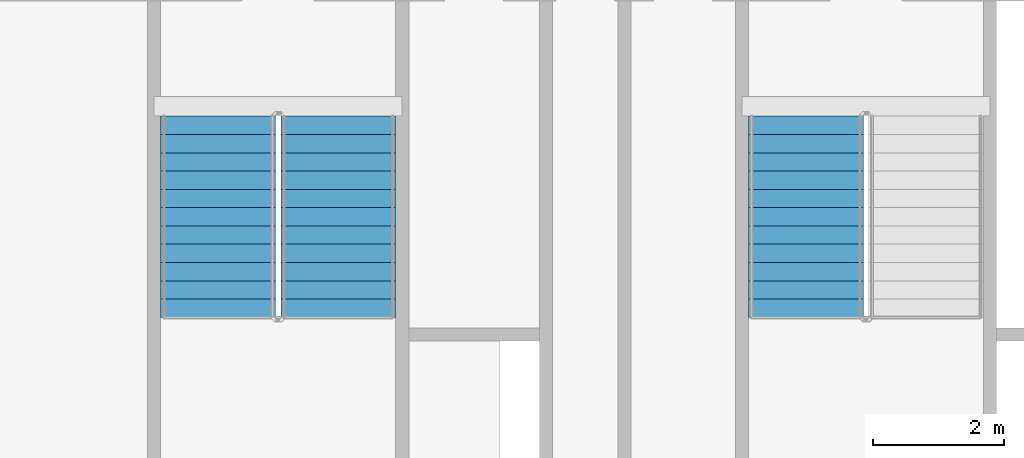
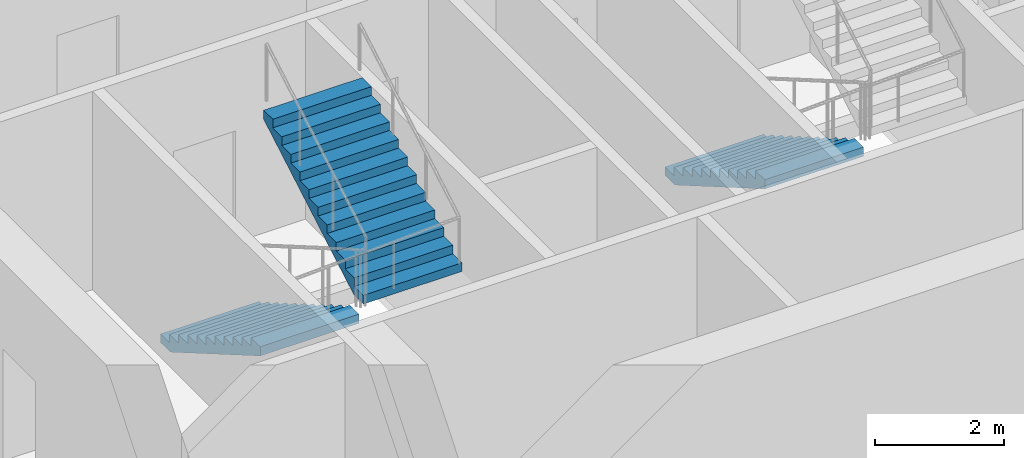
# One storey, part 15 of 22: 3 stair flights, 2 elements without a shape of their own.
"""IFC4 building model written with IfcOpenShell, lengths in metres."""

import ifcopenshell
import ifcopenshell.guid

model = None  # the IFC model being written
_history = None  # IfcOwnerHistory: only IFC2X3 demands one
_inside = {}  # id of a spatial element -> (the spatial element, [elements in it])
_under = {}  # id of a project, library or spatial element -> (it, [spatial elements below it])
_declared = {}  # id of a project -> (the project, [libraries it declares])
_typed = {}  # id of a type object -> (the type object, [elements of that type])
_made_of = {}  # id of a material, layer set ... -> (it, [elements and type objects made of it])


def new_model(schema):
    """Start an empty IFC model of exactly this schema.

    Asked for "IFC4X3", IfcOpenShell would pick the latest addendum, in which some entities
    have other attributes; the version numbers below select the first issue.
    IFC2X3 requires an IfcOwnerHistory on every rooted entity: one is made here for all.
    """
    global model, _history
    if schema == "IFC4X3":
        model = ifcopenshell.file(schema_version=(4, 3, 0, 0))
    else:
        model = ifcopenshell.file(schema=schema)
    _inside.clear()
    _under.clear()
    _declared.clear()
    _typed.clear()
    _made_of.clear()
    _history = None
    if model.schema == "IFC2X3":
        org = make("IfcOrganization", Name="unknown")
        user = make(
            "IfcPersonAndOrganization",
            ThePerson=make("IfcPerson", FamilyName="unknown"),
            TheOrganization=org,
        )
        app = make(
            "IfcApplication",
            ApplicationDeveloper=org,
            Version="unknown",
            ApplicationFullName="unknown",
            ApplicationIdentifier="unknown",
        )
        _history = make(
            "IfcOwnerHistory",
            OwningUser=user,
            OwningApplication=app,
            ChangeAction="ADDED",
            CreationDate=0,
        )
    return model


def make(cls, **values):
    """One entity of the class cls with the attributes given. An attribute that is None is left unset."""
    return model.create_entity(
        cls, **{name: value for name, value in values.items() if value is not None}
    )


def rooted(cls, **values):
    """An entity with a GlobalId (a new one), such as an element, a storey or a relation."""
    return make(cls, GlobalId=ifcopenshell.guid.new(), OwnerHistory=_history, **values)


def si_unit(unit_type, name, prefix=None):
    """IfcSIUnit, for example si_unit("LENGTHUNIT", "METRE", prefix="MILLI")."""
    return make("IfcSIUnit", UnitType=unit_type, Prefix=prefix, Name=name)


def assignment(units):
    """IfcUnitAssignment: the units of a project."""
    return None if units is None else make("IfcUnitAssignment", Units=units)


def point(xyz):
    """IfcCartesianPoint."""
    return None if xyz is None else make("IfcCartesianPoint", Coordinates=xyz)


def direction(xyz):
    """IfcDirection."""
    return None if xyz is None else make("IfcDirection", DirectionRatios=xyz)


def frame(location, z_axis=None, x_axis=None):
    """IfcAxis2Placement3D, a coordinate frame: its origin and axes. An axis left out is left unset."""
    return make(
        "IfcAxis2Placement3D",
        Location=point(location),
        Axis=direction(z_axis),
        RefDirection=direction(x_axis),
    )


def origin():
    """The frame at (0, 0, 0) with its axes left unset."""
    return frame((0.0, 0.0, 0.0))


def place(relative_to, where):
    """IfcLocalPlacement: puts the frame where relative to a parent placement (None: the world)."""
    return make(
        "IfcLocalPlacement", PlacementRelTo=relative_to, RelativePlacement=where
    )


def context(
    kind, dimensions, precision=None, world=None, true_north=None, identifier=None
):
    """IfcGeometricRepresentationContext, for example the 3D "Model" context."""
    return make(
        "IfcGeometricRepresentationContext",
        ContextIdentifier=identifier,
        ContextType=kind,
        CoordinateSpaceDimension=dimensions,
        Precision=precision,
        WorldCoordinateSystem=world,
        TrueNorth=true_north,
    )


def subcontext(parent, identifier, kind, view, scale=None):
    """IfcGeometricRepresentationSubContext, for example "Body" below "Model"."""
    return make(
        "IfcGeometricRepresentationSubContext",
        ContextIdentifier=identifier,
        ContextType=kind,
        ParentContext=parent,
        TargetScale=scale,
        TargetView=view,
    )


def project(units=None, contexts=None):
    """IfcProject with its units and contexts."""
    return rooted(
        "IfcProject",
        Name="project",
        RepresentationContexts=contexts,
        UnitsInContext=assignment(units),
    )


def spatial(cls, under=None, at=None, **own):
    """A site, building, storey or space (cls), placed at a placement, below another one or the project."""
    s = rooted(cls, ObjectPlacement=at, **own)
    if under is not None:
        _under.setdefault(under.id(), (under, []))[1].append(s)
    return s


def faces_of(points, faces, orient=None, outer=None):
    """IfcFace entities. A face is a list of loops; a loop is a list of indices into points, from 0.

    orient and outer hold one flag for each loop. By default every Orientation is true, the
    first loop of a face is its IfcFaceOuterBound and the others are IfcFaceBound.
    """
    made = []
    for i, loops in enumerate(faces):
        bounds = []
        for j, loop in enumerate(loops):
            is_outer = j == 0 if outer is None else outer[i][j]
            bounds.append(
                make(
                    "IfcFaceOuterBound" if is_outer else "IfcFaceBound",
                    Bound=make("IfcPolyLoop", Polygon=[points[k] for k in loop]),
                    Orientation=True if orient is None else orient[i][j],
                )
            )
        made.append(make("IfcFace", Bounds=bounds))
    return made


def faceted_brep(points, faces, orient=None, outer=None, voids=None):
    """IfcFacetedBrep: a solid bounded by flat faces; with voids (closed shells), ...WithVoids."""
    shared = [point(p) for p in points]
    hull = make("IfcClosedShell", CfsFaces=faces_of(shared, faces, orient, outer))
    if voids is None:
        return make("IfcFacetedBrep", Outer=hull)
    return make(
        "IfcFacetedBrepWithVoids",
        Outer=hull,
        Voids=[
            make(cls, CfsFaces=faces_of(shared, fs, o, b)) for cls, fs, o, b in voids
        ],
    )


def shape(context_of_items, identifier, shape_type, items):
    """IfcShapeRepresentation: the items that make up one representation, for example the "Body"."""
    return make(
        "IfcShapeRepresentation",
        ContextOfItems=context_of_items,
        RepresentationIdentifier=identifier,
        RepresentationType=shape_type,
        Items=items,
    )


def material(Name=None, Category=None):
    """IfcMaterial."""
    return make("IfcMaterial", Name=Name, Category=Category)


def made_of(thing, what):
    """Note that an element or type object is made of a material, layer set ...; save() writes the relation."""
    if what is not None:
        _made_of.setdefault(what.id(), (what, []))[1].append(thing)
    return thing


def type_object(cls, material=None, **own):
    """A type object (cls), such as IfcWallType, which elements share."""
    return made_of(rooted(cls, **own), material)


def element(
    cls,
    number,
    at=None,
    inside=None,
    cuts=None,
    type_object=None,
    material=None,
    context=None,
    identifier="Body",
    shape_type=None,
    held_by="IfcProductDefinitionShape",
    body=None,
    shapes=None,
    **own,
):
    """One element of the class cls, such as IfcWall. Its Tag is "e" and its number.

    at: its placement. inside: the storey or other place that contains it. cuts: it is an
    opening in that element (IfcRelVoidsElement). A single representation is given by context,
    identifier, shape_type and body (its items); several are given by shapes. held_by: the class
    of the entity that holds the representations. save() writes the other relations.
    """
    e = rooted(cls, Tag="e%d" % number, ObjectPlacement=at, **own)
    if body is not None:
        shapes = [shape(context, identifier, shape_type, body)]
    if shapes is not None:
        e.Representation = make(held_by, Representations=shapes)
    if inside is not None:
        _inside.setdefault(inside.id(), (inside, []))[1].append(e)
    if cuts is not None:
        rooted(
            "IfcRelVoidsElement", RelatingBuildingElement=cuts, RelatedOpeningElement=e
        )
    if type_object is not None:
        _typed.setdefault(type_object.id(), (type_object, []))[1].append(e)
    return made_of(e, material)


def aggregate(whole, parts):
    """IfcRelAggregates: a whole, such as a stair, and the parts it consists of."""
    return rooted("IfcRelAggregates", RelatingObject=whole, RelatedObjects=parts)


def save(model, path):
    """Write the relations noted so far, then the file.

    IfcRelAggregates (storeys below a building ...), IfcRelContainedInSpatialStructure (elements
    in a storey), IfcRelDefinesByType, IfcRelAssociatesMaterial and IfcRelDeclares: one each for
    every whole, place, type object, material and project.
    """
    for whole, parts in _under.values():
        aggregate(whole, parts)
    for where, things in _inside.values():
        rooted(
            "IfcRelContainedInSpatialStructure",
            RelatedElements=things,
            RelatingStructure=where,
        )
    for kind, things in _typed.values():
        rooted("IfcRelDefinesByType", RelatedObjects=things, RelatingType=kind)
    for what, things in _made_of.values():
        rooted("IfcRelAssociatesMaterial", RelatedObjects=things, RelatingMaterial=what)
    for by, libraries in _declared.values():
        rooted("IfcRelDeclares", RelatingContext=by, RelatedDefinitions=libraries)
    model.write(path)


model = new_model("IFC4")

# Units and contexts
model_context = context("Model", 3, precision=1e-05, world=origin(), true_north=direction((0.0, 1.0)))
body_context = subcontext(model_context, "Body", "Model", "MODEL_VIEW")
ifc_project = project(units=[si_unit("LENGTHUNIT", "METRE"), si_unit("AREAUNIT", "SQUARE_METRE"), si_unit("VOLUMEUNIT", "CUBIC_METRE"), si_unit("PLANEANGLEUNIT", "RADIAN"), si_unit("MASSUNIT", "GRAM", prefix="KILO")], contexts=[model_context])

# Site, building, storey
site_placement = place(None, origin())
site = spatial("IfcSite", under=ifc_project, at=site_placement, CompositionType="ELEMENT")
building_placement = place(site_placement, origin())
building = spatial("IfcBuilding", under=site, at=building_placement, Name="Tarsis Ring Headquarters", CompositionType="ELEMENT")
storey_placement = place(building_placement, frame((0.0, 0.0, 147.60009765625)))
storey = spatial("IfcBuildingStorey", under=building, at=storey_placement, Name="L33", CompositionType="ELEMENT", Elevation=147.60009765625)

# Stair, stair flights
ifc_material_1 = material(Name="Core stair 1760")
stair_type = type_object("IfcStairType", Name="Core stair 1760", PredefinedType="HALF_TURN_STAIR", material=ifc_material_1)
stair_1_placement = place(storey_placement, origin())
stair_1 = element("IfcStair", 1, at=stair_1_placement, inside=storey, type_object=stair_type, Name="L33 Exit stair C", PredefinedType="HALF_TURN_STAIR")
ifc_material_2 = material(Name="Concrete C40/50", Category="concrete")
stair_flight_type = type_object("IfcStairFlightType", Name="Core stair flight 1760", PredefinedType="STRAIGHT", material=ifc_material_2)
stair_flight_1_placement = place(storey_placement, frame((-5.419921875, -3.659912109375, 0.0), z_axis=(0.0, 0.0, 1.0), x_axis=(0.0, -1.0, 0.0)))
stair_flight_1 = element("IfcStairFlight", 2, at=stair_flight_1_placement, type_object=stair_flight_type, Name="Stair ST3 flight 1", NumberOfRisers=12, NumberOfTreads=11, PredefinedType="STRAIGHT", RiserHeight=0.1625, TreadLength=0.28, context=body_context, shape_type="Brep", body=[
    faceted_brep([(0.0, 0.8798828125, 0.0), (0.0, 0.8798828125, 0.16259765625), (0.280029296875, 0.8798828125, 0.16259765625), (0.280029296875, 0.8798828125, 0.324951171875), (0.56005859375, 0.8798828125, 0.324951171875), (0.56005859375, 0.8798828125, 0.487548828125), (0.840087890625, 0.8798828125, 0.487548828125), (0.840087890625, 0.8798828125, 0.64990234375), (1.1201171875, 0.8798828125, 0.64990234375), (1.1201171875, 0.8798828125, 0.8125), (1.39990234375, 0.8798828125, 0.8125), (1.39990234375, 0.8798828125, 0.97509765625), (1.679931640625, 0.8798828125, 0.97509765625), (1.679931640625, 0.8798828125, 1.137451171875), (1.9599609375, 0.8798828125, 1.137451171875), (1.9599609375, 0.8798828125, 1.300048828125), (2.239990234375, 0.8798828125, 1.300048828125), (2.239990234375, 0.8798828125, 1.46240234375), (2.52001953125, 0.8798828125, 1.46240234375), (2.52001953125, 0.8798828125, 1.625), (2.800048828125, 0.8798828125, 1.625), (2.800048828125, 0.8798828125, 1.78759765625), (3.080078125, 0.8798828125, 1.78759765625), (3.080078125, 0.8798828125, 1.6142578125), (0.298583984375, 0.8798828125, 0.0), (0.298583984375, -0.8798828125, 0.0), (3.080078125, -0.8798828125, 1.6142578125), (3.080078125, -0.8798828125, 1.78759765625), (2.800048828125, -0.8798828125, 1.78759765625), (2.800048828125, -0.8798828125, 1.625), (2.52001953125, -0.8798828125, 1.625), (2.52001953125, -0.8798828125, 1.46240234375), (2.239990234375, -0.8798828125, 1.46240234375), (2.239990234375, -0.8798828125, 1.300048828125), (1.9599609375, -0.8798828125, 1.300048828125), (1.9599609375, -0.8798828125, 1.137451171875), (1.679931640625, -0.8798828125, 1.137451171875), (1.679931640625, -0.8798828125, 0.97509765625), (1.39990234375, -0.8798828125, 0.97509765625), (1.39990234375, -0.8798828125, 0.8125), (1.1201171875, -0.8798828125, 0.8125), (1.1201171875, -0.8798828125, 0.64990234375), (0.840087890625, -0.8798828125, 0.64990234375), (0.840087890625, -0.8798828125, 0.487548828125), (0.56005859375, -0.8798828125, 0.487548828125), (0.56005859375, -0.8798828125, 0.324951171875), (0.280029296875, -0.8798828125, 0.324951171875), (0.280029296875, -0.8798828125, 0.16259765625), (0.0, -0.8798828125, 0.16259765625), (0.0, -0.8798828125, 0.0), (0.0, -0.43994140625, 0.16259765625), (0.0, -0.43994140625, 0.0), (0.0, 0.0, 0.16259765625), (0.0, 0.0, 0.0), (0.0, 0.43994140625, 0.16259765625), (0.0, 0.43994140625, 0.0), (0.280029296875, -0.43994140625, 0.16259765625), (0.280029296875, 0.0, 0.16259765625), (0.280029296875, 0.43994140625, 0.16259765625), (0.280029296875, -0.43994140625, 0.324951171875), (0.280029296875, 0.0, 0.324951171875), (0.280029296875, 0.43994140625, 0.324951171875), (0.56005859375, -0.43994140625, 0.324951171875), (0.56005859375, 0.0, 0.324951171875), (0.56005859375, 0.43994140625, 0.324951171875), (0.56005859375, -0.43994140625, 0.487548828125), (0.56005859375, 0.0, 0.487548828125), (0.56005859375, 0.43994140625, 0.487548828125), (0.840087890625, -0.43994140625, 0.487548828125), (0.840087890625, 0.0, 0.487548828125), (0.840087890625, 0.43994140625, 0.487548828125), (0.840087890625, -0.43994140625, 0.64990234375), (0.840087890625, 0.0, 0.64990234375), (0.840087890625, 0.43994140625, 0.64990234375), (1.1201171875, -0.43994140625, 0.64990234375), (1.1201171875, 0.0, 0.64990234375), (1.1201171875, 0.43994140625, 0.64990234375), (1.1201171875, -0.43994140625, 0.8125), (1.1201171875, 0.0, 0.8125), (1.1201171875, 0.43994140625, 0.8125), (1.39990234375, -0.43994140625, 0.8125), (1.39990234375, 0.0, 0.8125), (1.39990234375, 0.43994140625, 0.8125), (1.39990234375, -0.43994140625, 0.97509765625), (1.39990234375, 0.0, 0.97509765625), (1.39990234375, 0.43994140625, 0.97509765625), (1.679931640625, -0.43994140625, 0.97509765625), (1.679931640625, 0.0, 0.97509765625), (1.679931640625, 0.43994140625, 0.97509765625), (1.679931640625, -0.43994140625, 1.137451171875), (1.679931640625, 0.0, 1.137451171875), (1.679931640625, 0.43994140625, 1.137451171875), (1.9599609375, -0.43994140625, 1.137451171875), (1.9599609375, 0.0, 1.137451171875), (1.9599609375, 0.43994140625, 1.137451171875), (1.9599609375, -0.43994140625, 1.300048828125), (1.9599609375, 0.0, 1.300048828125), (1.9599609375, 0.43994140625, 1.300048828125), (2.239990234375, -0.43994140625, 1.300048828125), (2.239990234375, 0.0, 1.300048828125), (2.239990234375, 0.43994140625, 1.300048828125), (2.239990234375, -0.43994140625, 1.46240234375), (2.239990234375, 0.0, 1.46240234375), (2.239990234375, 0.43994140625, 1.46240234375), (2.52001953125, -0.43994140625, 1.46240234375), (2.52001953125, 0.0, 1.46240234375), (2.52001953125, 0.43994140625, 1.46240234375), (2.52001953125, -0.43994140625, 1.625), (2.52001953125, 0.0, 1.625), (2.52001953125, 0.43994140625, 1.625), (2.800048828125, -0.43994140625, 1.625), (2.800048828125, 0.0, 1.625), (2.800048828125, 0.43994140625, 1.625), (2.800048828125, -0.43994140625, 1.78759765625), (2.800048828125, 0.0, 1.78759765625), (2.800048828125, 0.43994140625, 1.78759765625), (3.080078125, -0.43994140625, 1.78759765625), (3.080078125, 0.0, 1.78759765625), (3.080078125, 0.43994140625, 1.78759765625), (3.080078125, -0.43994140625, 1.6142578125), (3.080078125, 0.0, 1.6142578125), (3.080078125, 0.43994140625, 1.6142578125), (0.298583984375, -0.43994140625, 0.0), (0.298583984375, 0.0, 0.0), (0.298583984375, 0.43994140625, 0.0)], [[[0, 1, 2, 3, 4, 5, 6, 7, 8, 9, 10, 11, 12, 13, 14, 15, 16, 17, 18, 19, 20, 21, 22, 23, 24]], [[25, 26, 27, 28, 29, 30, 31, 32, 33, 34, 35, 36, 37, 38, 39, 40, 41, 42, 43, 44, 45, 46, 47, 48, 49]], [[49, 48, 50, 51]], [[51, 50, 52, 53]], [[53, 52, 54, 55]], [[55, 54, 1, 0]], [[48, 47, 56, 50]], [[50, 56, 57, 52]], [[52, 57, 58, 54]], [[54, 58, 2, 1]], [[47, 46, 59, 56]], [[56, 59, 60, 57]], [[57, 60, 61, 58]], [[58, 61, 3, 2]], [[46, 45, 62, 59]], [[59, 62, 63, 60]], [[60, 63, 64, 61]], [[61, 64, 4, 3]], [[45, 44, 65, 62]], [[62, 65, 66, 63]], [[63, 66, 67, 64]], [[64, 67, 5, 4]], [[44, 43, 68, 65]], [[65, 68, 69, 66]], [[66, 69, 70, 67]], [[67, 70, 6, 5]], [[43, 42, 71, 68]], [[68, 71, 72, 69]], [[69, 72, 73, 70]], [[70, 73, 7, 6]], [[42, 41, 74, 71]], [[71, 74, 75, 72]], [[72, 75, 76, 73]], [[73, 76, 8, 7]], [[41, 40, 77, 74]], [[74, 77, 78, 75]], [[75, 78, 79, 76]], [[76, 79, 9, 8]], [[40, 39, 80, 77]], [[77, 80, 81, 78]], [[78, 81, 82, 79]], [[79, 82, 10, 9]], [[39, 38, 83, 80]], [[80, 83, 84, 81]], [[81, 84, 85, 82]], [[82, 85, 11, 10]], [[38, 37, 86, 83]], [[83, 86, 87, 84]], [[84, 87, 88, 85]], [[85, 88, 12, 11]], [[37, 36, 89, 86]], [[86, 89, 90, 87]], [[87, 90, 91, 88]], [[88, 91, 13, 12]], [[36, 35, 92, 89]], [[89, 92, 93, 90]], [[90, 93, 94, 91]], [[91, 94, 14, 13]], [[35, 34, 95, 92]], [[92, 95, 96, 93]], [[93, 96, 97, 94]], [[94, 97, 15, 14]], [[34, 33, 98, 95]], [[95, 98, 99, 96]], [[96, 99, 100, 97]], [[97, 100, 16, 15]], [[33, 32, 101, 98]], [[98, 101, 102, 99]], [[99, 102, 103, 100]], [[100, 103, 17, 16]], [[32, 31, 104, 101]], [[101, 104, 105, 102]], [[102, 105, 106, 103]], [[103, 106, 18, 17]], [[31, 30, 107, 104]], [[104, 107, 108, 105]], [[105, 108, 109, 106]], [[106, 109, 19, 18]], [[30, 29, 110, 107]], [[107, 110, 111, 108]], [[108, 111, 112, 109]], [[109, 112, 20, 19]], [[29, 28, 113, 110]], [[110, 113, 114, 111]], [[111, 114, 115, 112]], [[112, 115, 21, 20]], [[28, 27, 116, 113]], [[113, 116, 117, 114]], [[114, 117, 118, 115]], [[115, 118, 22, 21]], [[27, 26, 119, 116]], [[116, 119, 120, 117]], [[117, 120, 121, 118]], [[118, 121, 23, 22]], [[26, 25, 122, 119]], [[119, 122, 123, 120]], [[120, 123, 124, 121]], [[121, 124, 24, 23]], [[25, 49, 51, 122]], [[122, 51, 53, 123]], [[123, 53, 55, 124]], [[124, 55, 0, 24]]]),
])
stair_flight_2_placement = place(storey_placement, frame((-3.580078125, -6.739990234375, 1.949951171875), z_axis=(0.0, 0.0, 1.0), x_axis=(0.0, 1.0, 0.0)))
stair_flight_2 = element("IfcStairFlight", 3, at=stair_flight_2_placement, type_object=stair_flight_type, Name="Stair ST3 flight 2", NumberOfRisers=12, NumberOfTreads=11, PredefinedType="STRAIGHT", RiserHeight=0.1625, TreadLength=0.28, context=body_context, shape_type="Brep", body=[
    faceted_brep([(0.0, 0.8798828125, 0.0), (0.0, 0.8798828125, 0.16259765625), (0.280029296875, 0.8798828125, 0.16259765625), (0.280029296875, 0.8798828125, 0.324951171875), (0.56005859375, 0.8798828125, 0.324951171875), (0.56005859375, 0.8798828125, 0.487548828125), (0.840087890625, 0.8798828125, 0.487548828125), (0.840087890625, 0.8798828125, 0.64990234375), (1.1201171875, 0.8798828125, 0.64990234375), (1.1201171875, 0.8798828125, 0.8125), (1.39990234375, 0.8798828125, 0.8125), (1.39990234375, 0.8798828125, 0.97509765625), (1.679931640625, 0.8798828125, 0.97509765625), (1.679931640625, 0.8798828125, 1.137451171875), (1.9599609375, 0.8798828125, 1.137451171875), (1.9599609375, 0.8798828125, 1.300048828125), (2.239990234375, 0.8798828125, 1.300048828125), (2.239990234375, 0.8798828125, 1.46240234375), (2.52001953125, 0.8798828125, 1.46240234375), (2.52001953125, 0.8798828125, 1.625), (2.800048828125, 0.8798828125, 1.625), (2.800048828125, 0.8798828125, 1.78759765625), (3.080078125, 0.8798828125, 1.78759765625), (3.080078125, 0.8798828125, 1.6142578125), (0.298583984375, 0.8798828125, 0.0), (0.298583984375, -0.8798828125, 0.0), (3.080078125, -0.8798828125, 1.6142578125), (3.080078125, -0.8798828125, 1.78759765625), (2.800048828125, -0.8798828125, 1.78759765625), (2.800048828125, -0.8798828125, 1.625), (2.52001953125, -0.8798828125, 1.625), (2.52001953125, -0.8798828125, 1.46240234375), (2.239990234375, -0.8798828125, 1.46240234375), (2.239990234375, -0.8798828125, 1.300048828125), (1.9599609375, -0.8798828125, 1.300048828125), (1.9599609375, -0.8798828125, 1.137451171875), (1.679931640625, -0.8798828125, 1.137451171875), (1.679931640625, -0.8798828125, 0.97509765625), (1.39990234375, -0.8798828125, 0.97509765625), (1.39990234375, -0.8798828125, 0.8125), (1.1201171875, -0.8798828125, 0.8125), (1.1201171875, -0.8798828125, 0.64990234375), (0.840087890625, -0.8798828125, 0.64990234375), (0.840087890625, -0.8798828125, 0.487548828125), (0.56005859375, -0.8798828125, 0.487548828125), (0.56005859375, -0.8798828125, 0.324951171875), (0.280029296875, -0.8798828125, 0.324951171875), (0.280029296875, -0.8798828125, 0.16259765625), (0.0, -0.8798828125, 0.16259765625), (0.0, -0.8798828125, 0.0), (0.0, -0.43994140625, 0.16259765625), (0.0, -0.43994140625, 0.0), (0.0, 0.0, 0.16259765625), (0.0, 0.0, 0.0), (0.0, 0.43994140625, 0.16259765625), (0.0, 0.43994140625, 0.0), (0.280029296875, -0.43994140625, 0.16259765625), (0.280029296875, 0.0, 0.16259765625), (0.280029296875, 0.43994140625, 0.16259765625), (0.280029296875, -0.43994140625, 0.324951171875), (0.280029296875, 0.0, 0.324951171875), (0.280029296875, 0.43994140625, 0.324951171875), (0.56005859375, -0.43994140625, 0.324951171875), (0.56005859375, 0.0, 0.324951171875), (0.56005859375, 0.43994140625, 0.324951171875), (0.56005859375, -0.43994140625, 0.487548828125), (0.56005859375, 0.0, 0.487548828125), (0.56005859375, 0.43994140625, 0.487548828125), (0.840087890625, -0.43994140625, 0.487548828125), (0.840087890625, 0.0, 0.487548828125), (0.840087890625, 0.43994140625, 0.487548828125), (0.840087890625, -0.43994140625, 0.64990234375), (0.840087890625, 0.0, 0.64990234375), (0.840087890625, 0.43994140625, 0.64990234375), (1.1201171875, -0.43994140625, 0.64990234375), (1.1201171875, 0.0, 0.64990234375), (1.1201171875, 0.43994140625, 0.64990234375), (1.1201171875, -0.43994140625, 0.8125), (1.1201171875, 0.0, 0.8125), (1.1201171875, 0.43994140625, 0.8125), (1.39990234375, -0.43994140625, 0.8125), (1.39990234375, 0.0, 0.8125), (1.39990234375, 0.43994140625, 0.8125), (1.39990234375, -0.43994140625, 0.97509765625), (1.39990234375, 0.0, 0.97509765625), (1.39990234375, 0.43994140625, 0.97509765625), (1.679931640625, -0.43994140625, 0.97509765625), (1.679931640625, 0.0, 0.97509765625), (1.679931640625, 0.43994140625, 0.97509765625), (1.679931640625, -0.43994140625, 1.137451171875), (1.679931640625, 0.0, 1.137451171875), (1.679931640625, 0.43994140625, 1.137451171875), (1.9599609375, -0.43994140625, 1.137451171875), (1.9599609375, 0.0, 1.137451171875), (1.9599609375, 0.43994140625, 1.137451171875), (1.9599609375, -0.43994140625, 1.300048828125), (1.9599609375, 0.0, 1.300048828125), (1.9599609375, 0.43994140625, 1.300048828125), (2.239990234375, -0.43994140625, 1.300048828125), (2.239990234375, 0.0, 1.300048828125), (2.239990234375, 0.43994140625, 1.300048828125), (2.239990234375, -0.43994140625, 1.46240234375), (2.239990234375, 0.0, 1.46240234375), (2.239990234375, 0.43994140625, 1.46240234375), (2.52001953125, -0.43994140625, 1.46240234375), (2.52001953125, 0.0, 1.46240234375), (2.52001953125, 0.43994140625, 1.46240234375), (2.52001953125, -0.43994140625, 1.625), (2.52001953125, 0.0, 1.625), (2.52001953125, 0.43994140625, 1.625), (2.800048828125, -0.43994140625, 1.625), (2.800048828125, 0.0, 1.625), (2.800048828125, 0.43994140625, 1.625), (2.800048828125, -0.43994140625, 1.78759765625), (2.800048828125, 0.0, 1.78759765625), (2.800048828125, 0.43994140625, 1.78759765625), (3.080078125, -0.43994140625, 1.78759765625), (3.080078125, 0.0, 1.78759765625), (3.080078125, 0.43994140625, 1.78759765625), (3.080078125, -0.43994140625, 1.6142578125), (3.080078125, 0.0, 1.6142578125), (3.080078125, 0.43994140625, 1.6142578125), (0.298583984375, -0.43994140625, 0.0), (0.298583984375, 0.0, 0.0), (0.298583984375, 0.43994140625, 0.0)], [[[0, 1, 2, 3, 4, 5, 6, 7, 8, 9, 10, 11, 12, 13, 14, 15, 16, 17, 18, 19, 20, 21, 22, 23, 24]], [[25, 26, 27, 28, 29, 30, 31, 32, 33, 34, 35, 36, 37, 38, 39, 40, 41, 42, 43, 44, 45, 46, 47, 48, 49]], [[49, 48, 50, 51]], [[51, 50, 52, 53]], [[53, 52, 54, 55]], [[55, 54, 1, 0]], [[48, 47, 56, 50]], [[50, 56, 57, 52]], [[52, 57, 58, 54]], [[54, 58, 2, 1]], [[47, 46, 59, 56]], [[56, 59, 60, 57]], [[57, 60, 61, 58]], [[58, 61, 3, 2]], [[46, 45, 62, 59]], [[59, 62, 63, 60]], [[60, 63, 64, 61]], [[61, 64, 4, 3]], [[45, 44, 65, 62]], [[62, 65, 66, 63]], [[63, 66, 67, 64]], [[64, 67, 5, 4]], [[44, 43, 68, 65]], [[65, 68, 69, 66]], [[66, 69, 70, 67]], [[67, 70, 6, 5]], [[43, 42, 71, 68]], [[68, 71, 72, 69]], [[69, 72, 73, 70]], [[70, 73, 7, 6]], [[42, 41, 74, 71]], [[71, 74, 75, 72]], [[72, 75, 76, 73]], [[73, 76, 8, 7]], [[41, 40, 77, 74]], [[74, 77, 78, 75]], [[75, 78, 79, 76]], [[76, 79, 9, 8]], [[40, 39, 80, 77]], [[77, 80, 81, 78]], [[78, 81, 82, 79]], [[79, 82, 10, 9]], [[39, 38, 83, 80]], [[80, 83, 84, 81]], [[81, 84, 85, 82]], [[82, 85, 11, 10]], [[38, 37, 86, 83]], [[83, 86, 87, 84]], [[84, 87, 88, 85]], [[85, 88, 12, 11]], [[37, 36, 89, 86]], [[86, 89, 90, 87]], [[87, 90, 91, 88]], [[88, 91, 13, 12]], [[36, 35, 92, 89]], [[89, 92, 93, 90]], [[90, 93, 94, 91]], [[91, 94, 14, 13]], [[35, 34, 95, 92]], [[92, 95, 96, 93]], [[93, 96, 97, 94]], [[94, 97, 15, 14]], [[34, 33, 98, 95]], [[95, 98, 99, 96]], [[96, 99, 100, 97]], [[97, 100, 16, 15]], [[33, 32, 101, 98]], [[98, 101, 102, 99]], [[99, 102, 103, 100]], [[100, 103, 17, 16]], [[32, 31, 104, 101]], [[101, 104, 105, 102]], [[102, 105, 106, 103]], [[103, 106, 18, 17]], [[31, 30, 107, 104]], [[104, 107, 108, 105]], [[105, 108, 109, 106]], [[106, 109, 19, 18]], [[30, 29, 110, 107]], [[107, 110, 111, 108]], [[108, 111, 112, 109]], [[109, 112, 20, 19]], [[29, 28, 113, 110]], [[110, 113, 114, 111]], [[111, 114, 115, 112]], [[112, 115, 21, 20]], [[28, 27, 116, 113]], [[113, 116, 117, 114]], [[114, 117, 118, 115]], [[115, 118, 22, 21]], [[27, 26, 119, 116]], [[116, 119, 120, 117]], [[117, 120, 121, 118]], [[118, 121, 23, 22]], [[26, 25, 122, 119]], [[119, 122, 123, 120]], [[120, 123, 124, 121]], [[121, 124, 24, 23]], [[25, 49, 51, 122]], [[122, 51, 53, 123]], [[123, 53, 55, 124]], [[124, 55, 0, 24]]]),
])
aggregate(stair_1, [stair_flight_1, stair_flight_2])

# Stair, stair flight
stair_2_placement = place(storey_placement, origin())
stair_2 = element("IfcStair", 4, at=stair_2_placement, inside=storey, type_object=stair_type, Name="L33 Exit stair D", PredefinedType="HALF_TURN_STAIR")
stair_flight_3_placement = place(storey_placement, frame((3.580078125, -3.659912109375, 0.0), z_axis=(0.0, 0.0, 1.0), x_axis=(0.0, -1.0, 0.0)))
stair_flight_3 = element("IfcStairFlight", 5, at=stair_flight_3_placement, type_object=stair_flight_type, Name="Stair ST4 flight 1", NumberOfRisers=12, NumberOfTreads=11, PredefinedType="STRAIGHT", RiserHeight=0.1625, TreadLength=0.28, context=body_context, shape_type="Brep", body=[
    faceted_brep([(0.0, 0.8798828125, 0.0), (0.0, 0.8798828125, 0.16259765625), (0.280029296875, 0.8798828125, 0.16259765625), (0.280029296875, 0.8798828125, 0.324951171875), (0.56005859375, 0.8798828125, 0.324951171875), (0.56005859375, 0.8798828125, 0.487548828125), (0.840087890625, 0.8798828125, 0.487548828125), (0.840087890625, 0.8798828125, 0.64990234375), (1.1201171875, 0.8798828125, 0.64990234375), (1.1201171875, 0.8798828125, 0.8125), (1.39990234375, 0.8798828125, 0.8125), (1.39990234375, 0.8798828125, 0.97509765625), (1.679931640625, 0.8798828125, 0.97509765625), (1.679931640625, 0.8798828125, 1.137451171875), (1.9599609375, 0.8798828125, 1.137451171875), (1.9599609375, 0.8798828125, 1.300048828125), (2.239990234375, 0.8798828125, 1.300048828125), (2.239990234375, 0.8798828125, 1.46240234375), (2.52001953125, 0.8798828125, 1.46240234375), (2.52001953125, 0.8798828125, 1.625), (2.800048828125, 0.8798828125, 1.625), (2.800048828125, 0.8798828125, 1.78759765625), (3.080078125, 0.8798828125, 1.78759765625), (3.080078125, 0.8798828125, 1.6142578125), (0.298583984375, 0.8798828125, 0.0), (0.298583984375, -0.8798828125, 0.0), (3.080078125, -0.8798828125, 1.6142578125), (3.080078125, -0.8798828125, 1.78759765625), (2.800048828125, -0.8798828125, 1.78759765625), (2.800048828125, -0.8798828125, 1.625), (2.52001953125, -0.8798828125, 1.625), (2.52001953125, -0.8798828125, 1.46240234375), (2.239990234375, -0.8798828125, 1.46240234375), (2.239990234375, -0.8798828125, 1.300048828125), (1.9599609375, -0.8798828125, 1.300048828125), (1.9599609375, -0.8798828125, 1.137451171875), (1.679931640625, -0.8798828125, 1.137451171875), (1.679931640625, -0.8798828125, 0.97509765625), (1.39990234375, -0.8798828125, 0.97509765625), (1.39990234375, -0.8798828125, 0.8125), (1.1201171875, -0.8798828125, 0.8125), (1.1201171875, -0.8798828125, 0.64990234375), (0.840087890625, -0.8798828125, 0.64990234375), (0.840087890625, -0.8798828125, 0.487548828125), (0.56005859375, -0.8798828125, 0.487548828125), (0.56005859375, -0.8798828125, 0.324951171875), (0.280029296875, -0.8798828125, 0.324951171875), (0.280029296875, -0.8798828125, 0.16259765625), (0.0, -0.8798828125, 0.16259765625), (0.0, -0.8798828125, 0.0), (0.0, -0.43994140625, 0.16259765625), (0.0, -0.43994140625, 0.0), (0.0, 0.0, 0.16259765625), (0.0, 0.0, 0.0), (0.0, 0.43994140625, 0.16259765625), (0.0, 0.43994140625, 0.0), (0.280029296875, -0.43994140625, 0.16259765625), (0.280029296875, 0.0, 0.16259765625), (0.280029296875, 0.43994140625, 0.16259765625), (0.280029296875, -0.43994140625, 0.324951171875), (0.280029296875, 0.0, 0.324951171875), (0.280029296875, 0.43994140625, 0.324951171875), (0.56005859375, -0.43994140625, 0.324951171875), (0.56005859375, 0.0, 0.324951171875), (0.56005859375, 0.43994140625, 0.324951171875), (0.56005859375, -0.43994140625, 0.487548828125), (0.56005859375, 0.0, 0.487548828125), (0.56005859375, 0.43994140625, 0.487548828125), (0.840087890625, -0.43994140625, 0.487548828125), (0.840087890625, 0.0, 0.487548828125), (0.840087890625, 0.43994140625, 0.487548828125), (0.840087890625, -0.43994140625, 0.64990234375), (0.840087890625, 0.0, 0.64990234375), (0.840087890625, 0.43994140625, 0.64990234375), (1.1201171875, -0.43994140625, 0.64990234375), (1.1201171875, 0.0, 0.64990234375), (1.1201171875, 0.43994140625, 0.64990234375), (1.1201171875, -0.43994140625, 0.8125), (1.1201171875, 0.0, 0.8125), (1.1201171875, 0.43994140625, 0.8125), (1.39990234375, -0.43994140625, 0.8125), (1.39990234375, 0.0, 0.8125), (1.39990234375, 0.43994140625, 0.8125), (1.39990234375, -0.43994140625, 0.97509765625), (1.39990234375, 0.0, 0.97509765625), (1.39990234375, 0.43994140625, 0.97509765625), (1.679931640625, -0.43994140625, 0.97509765625), (1.679931640625, 0.0, 0.97509765625), (1.679931640625, 0.43994140625, 0.97509765625), (1.679931640625, -0.43994140625, 1.137451171875), (1.679931640625, 0.0, 1.137451171875), (1.679931640625, 0.43994140625, 1.137451171875), (1.9599609375, -0.43994140625, 1.137451171875), (1.9599609375, 0.0, 1.137451171875), (1.9599609375, 0.43994140625, 1.137451171875), (1.9599609375, -0.43994140625, 1.300048828125), (1.9599609375, 0.0, 1.300048828125), (1.9599609375, 0.43994140625, 1.300048828125), (2.239990234375, -0.43994140625, 1.300048828125), (2.239990234375, 0.0, 1.300048828125), (2.239990234375, 0.43994140625, 1.300048828125), (2.239990234375, -0.43994140625, 1.46240234375), (2.239990234375, 0.0, 1.46240234375), (2.239990234375, 0.43994140625, 1.46240234375), (2.52001953125, -0.43994140625, 1.46240234375), (2.52001953125, 0.0, 1.46240234375), (2.52001953125, 0.43994140625, 1.46240234375), (2.52001953125, -0.43994140625, 1.625), (2.52001953125, 0.0, 1.625), (2.52001953125, 0.43994140625, 1.625), (2.800048828125, -0.43994140625, 1.625), (2.800048828125, 0.0, 1.625), (2.800048828125, 0.43994140625, 1.625), (2.800048828125, -0.43994140625, 1.78759765625), (2.800048828125, 0.0, 1.78759765625), (2.800048828125, 0.43994140625, 1.78759765625), (3.080078125, -0.43994140625, 1.78759765625), (3.080078125, 0.0, 1.78759765625), (3.080078125, 0.43994140625, 1.78759765625), (3.080078125, -0.43994140625, 1.6142578125), (3.080078125, 0.0, 1.6142578125), (3.080078125, 0.43994140625, 1.6142578125), (0.298583984375, -0.43994140625, 0.0), (0.298583984375, 0.0, 0.0), (0.298583984375, 0.43994140625, 0.0)], [[[0, 1, 2, 3, 4, 5, 6, 7, 8, 9, 10, 11, 12, 13, 14, 15, 16, 17, 18, 19, 20, 21, 22, 23, 24]], [[25, 26, 27, 28, 29, 30, 31, 32, 33, 34, 35, 36, 37, 38, 39, 40, 41, 42, 43, 44, 45, 46, 47, 48, 49]], [[49, 48, 50, 51]], [[51, 50, 52, 53]], [[53, 52, 54, 55]], [[55, 54, 1, 0]], [[48, 47, 56, 50]], [[50, 56, 57, 52]], [[52, 57, 58, 54]], [[54, 58, 2, 1]], [[47, 46, 59, 56]], [[56, 59, 60, 57]], [[57, 60, 61, 58]], [[58, 61, 3, 2]], [[46, 45, 62, 59]], [[59, 62, 63, 60]], [[60, 63, 64, 61]], [[61, 64, 4, 3]], [[45, 44, 65, 62]], [[62, 65, 66, 63]], [[63, 66, 67, 64]], [[64, 67, 5, 4]], [[44, 43, 68, 65]], [[65, 68, 69, 66]], [[66, 69, 70, 67]], [[67, 70, 6, 5]], [[43, 42, 71, 68]], [[68, 71, 72, 69]], [[69, 72, 73, 70]], [[70, 73, 7, 6]], [[42, 41, 74, 71]], [[71, 74, 75, 72]], [[72, 75, 76, 73]], [[73, 76, 8, 7]], [[41, 40, 77, 74]], [[74, 77, 78, 75]], [[75, 78, 79, 76]], [[76, 79, 9, 8]], [[40, 39, 80, 77]], [[77, 80, 81, 78]], [[78, 81, 82, 79]], [[79, 82, 10, 9]], [[39, 38, 83, 80]], [[80, 83, 84, 81]], [[81, 84, 85, 82]], [[82, 85, 11, 10]], [[38, 37, 86, 83]], [[83, 86, 87, 84]], [[84, 87, 88, 85]], [[85, 88, 12, 11]], [[37, 36, 89, 86]], [[86, 89, 90, 87]], [[87, 90, 91, 88]], [[88, 91, 13, 12]], [[36, 35, 92, 89]], [[89, 92, 93, 90]], [[90, 93, 94, 91]], [[91, 94, 14, 13]], [[35, 34, 95, 92]], [[92, 95, 96, 93]], [[93, 96, 97, 94]], [[94, 97, 15, 14]], [[34, 33, 98, 95]], [[95, 98, 99, 96]], [[96, 99, 100, 97]], [[97, 100, 16, 15]], [[33, 32, 101, 98]], [[98, 101, 102, 99]], [[99, 102, 103, 100]], [[100, 103, 17, 16]], [[32, 31, 104, 101]], [[101, 104, 105, 102]], [[102, 105, 106, 103]], [[103, 106, 18, 17]], [[31, 30, 107, 104]], [[104, 107, 108, 105]], [[105, 108, 109, 106]], [[106, 109, 19, 18]], [[30, 29, 110, 107]], [[107, 110, 111, 108]], [[108, 111, 112, 109]], [[109, 112, 20, 19]], [[29, 28, 113, 110]], [[110, 113, 114, 111]], [[111, 114, 115, 112]], [[112, 115, 21, 20]], [[28, 27, 116, 113]], [[113, 116, 117, 114]], [[114, 117, 118, 115]], [[115, 118, 22, 21]], [[27, 26, 119, 116]], [[116, 119, 120, 117]], [[117, 120, 121, 118]], [[118, 121, 23, 22]], [[26, 25, 122, 119]], [[119, 122, 123, 120]], [[120, 123, 124, 121]], [[121, 124, 24, 23]], [[25, 49, 51, 122]], [[122, 51, 53, 123]], [[123, 53, 55, 124]], [[124, 55, 0, 24]]]),
])
aggregate(stair_2, [stair_flight_3])

save(model, "model.ifc")
